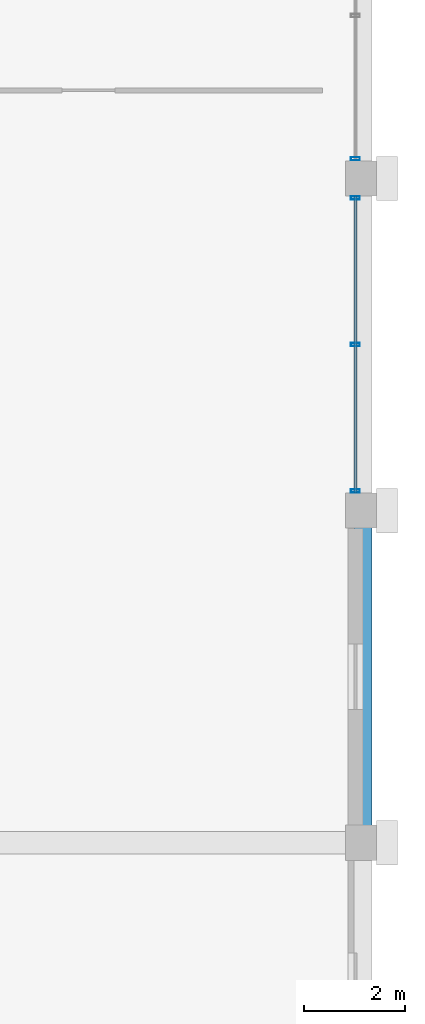
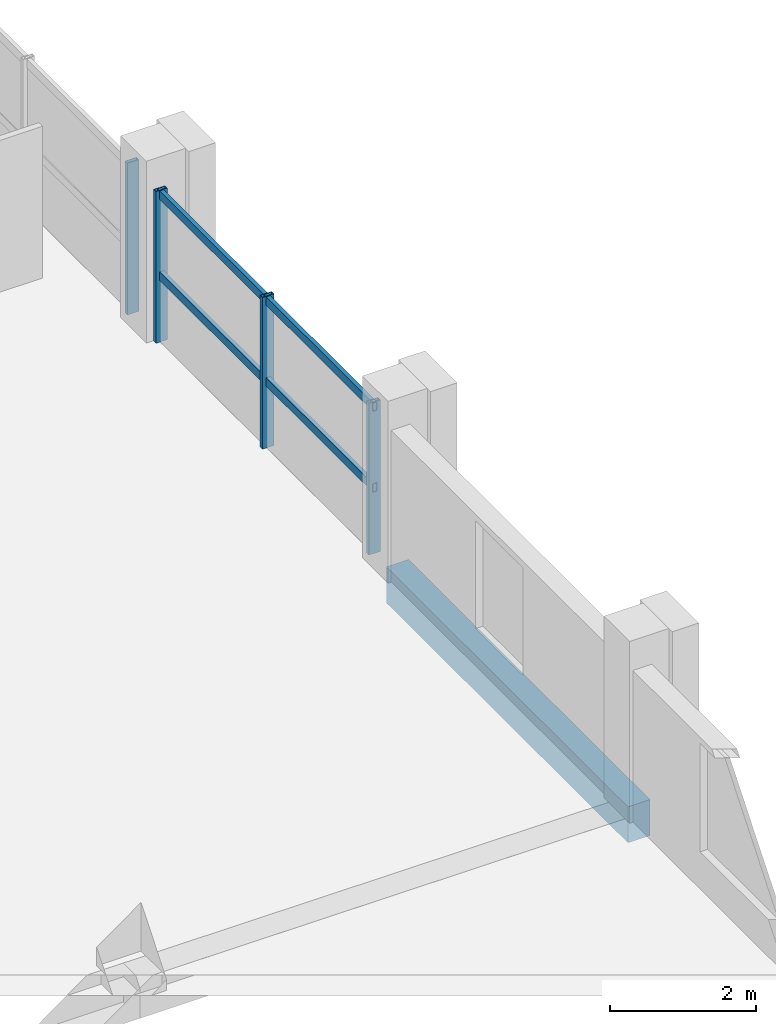
# One storey, part 10 of 25: 6 members, 1 beam, 2 elements without a shape of their own.
"""IFC4 building model written with IfcOpenShell, lengths in metres."""

import ifcopenshell
import ifcopenshell.guid

model = None  # the IFC model being written
_history = None  # IfcOwnerHistory: only IFC2X3 demands one
_inside = {}  # id of a spatial element -> (the spatial element, [elements in it])
_under = {}  # id of a project, library or spatial element -> (it, [spatial elements below it])
_declared = {}  # id of a project -> (the project, [libraries it declares])
_typed = {}  # id of a type object -> (the type object, [elements of that type])
_made_of = {}  # id of a material, layer set ... -> (it, [elements and type objects made of it])


def new_model(schema):
    """Start an empty IFC model of exactly this schema.

    Asked for "IFC4X3", IfcOpenShell would pick the latest addendum, in which some entities
    have other attributes; the version numbers below select the first issue.
    IFC2X3 requires an IfcOwnerHistory on every rooted entity: one is made here for all.
    """
    global model, _history
    if schema == "IFC4X3":
        model = ifcopenshell.file(schema_version=(4, 3, 0, 0))
    else:
        model = ifcopenshell.file(schema=schema)
    _inside.clear()
    _under.clear()
    _declared.clear()
    _typed.clear()
    _made_of.clear()
    _history = None
    if model.schema == "IFC2X3":
        org = make("IfcOrganization", Name="unknown")
        user = make(
            "IfcPersonAndOrganization",
            ThePerson=make("IfcPerson", FamilyName="unknown"),
            TheOrganization=org,
        )
        app = make(
            "IfcApplication",
            ApplicationDeveloper=org,
            Version="unknown",
            ApplicationFullName="unknown",
            ApplicationIdentifier="unknown",
        )
        _history = make(
            "IfcOwnerHistory",
            OwningUser=user,
            OwningApplication=app,
            ChangeAction="ADDED",
            CreationDate=0,
        )
    return model


def make(cls, **values):
    """One entity of the class cls with the attributes given. An attribute that is None is left unset."""
    return model.create_entity(
        cls, **{name: value for name, value in values.items() if value is not None}
    )


def rooted(cls, **values):
    """An entity with a GlobalId (a new one), such as an element, a storey or a relation."""
    return make(cls, GlobalId=ifcopenshell.guid.new(), OwnerHistory=_history, **values)


def si_unit(unit_type, name, prefix=None):
    """IfcSIUnit, for example si_unit("LENGTHUNIT", "METRE", prefix="MILLI")."""
    return make("IfcSIUnit", UnitType=unit_type, Prefix=prefix, Name=name)


def assignment(units):
    """IfcUnitAssignment: the units of a project."""
    return None if units is None else make("IfcUnitAssignment", Units=units)


def point(xyz):
    """IfcCartesianPoint."""
    return None if xyz is None else make("IfcCartesianPoint", Coordinates=xyz)


def direction(xyz):
    """IfcDirection."""
    return None if xyz is None else make("IfcDirection", DirectionRatios=xyz)


def frame(location, z_axis=None, x_axis=None):
    """IfcAxis2Placement3D, a coordinate frame: its origin and axes. An axis left out is left unset."""
    return make(
        "IfcAxis2Placement3D",
        Location=point(location),
        Axis=direction(z_axis),
        RefDirection=direction(x_axis),
    )


def frame_2d(location, x_axis=None):
    """IfcAxis2Placement2D, a coordinate frame in the plane: its origin and x axis."""
    return make(
        "IfcAxis2Placement2D", Location=point(location), RefDirection=direction(x_axis)
    )


def origin():
    """The frame at (0, 0, 0) with its axes left unset."""
    return frame((0.0, 0.0, 0.0))


def origin_2d():
    """The frame at (0, 0) in the plane with its x axis left unset."""
    return frame_2d((0.0, 0.0))


def place(relative_to, where):
    """IfcLocalPlacement: puts the frame where relative to a parent placement (None: the world)."""
    return make(
        "IfcLocalPlacement", PlacementRelTo=relative_to, RelativePlacement=where
    )


def context(
    kind, dimensions, precision=None, world=None, true_north=None, identifier=None
):
    """IfcGeometricRepresentationContext, for example the 3D "Model" context."""
    return make(
        "IfcGeometricRepresentationContext",
        ContextIdentifier=identifier,
        ContextType=kind,
        CoordinateSpaceDimension=dimensions,
        Precision=precision,
        WorldCoordinateSystem=world,
        TrueNorth=true_north,
    )


def subcontext(parent, identifier, kind, view, scale=None):
    """IfcGeometricRepresentationSubContext, for example "Body" below "Model"."""
    return make(
        "IfcGeometricRepresentationSubContext",
        ContextIdentifier=identifier,
        ContextType=kind,
        ParentContext=parent,
        TargetScale=scale,
        TargetView=view,
    )


def project(units=None, contexts=None):
    """IfcProject with its units and contexts."""
    return rooted(
        "IfcProject",
        Name="project",
        RepresentationContexts=contexts,
        UnitsInContext=assignment(units),
    )


def spatial(cls, under=None, at=None, **own):
    """A site, building, storey or space (cls), placed at a placement, below another one or the project."""
    s = rooted(cls, ObjectPlacement=at, **own)
    if under is not None:
        _under.setdefault(under.id(), (under, []))[1].append(s)
    return s


def profile(cls, at=None, kind="AREA", **sizes):
    """A parametric profile (cls). Its sizes go by their IFC names, for example OverallWidth=200.0."""
    return make(cls, ProfileType=kind, Position=at, **sizes)


def rectangle(**sizes):
    """IfcRectangleProfileDef."""
    return profile("IfcRectangleProfileDef", **sizes)


def hollow_rectangle(**sizes):
    """IfcRectangleHollowProfileDef."""
    return profile("IfcRectangleHollowProfileDef", **sizes)


def extrude(swept, where, along, depth):
    """IfcExtrudedAreaSolid: the profile swept, set in the frame where, extruded along a direction by depth."""
    return make(
        "IfcExtrudedAreaSolid",
        SweptArea=swept,
        Position=where,
        ExtrudedDirection=direction(along),
        Depth=depth,
    )


def shape(context_of_items, identifier, shape_type, items):
    """IfcShapeRepresentation: the items that make up one representation, for example the "Body"."""
    return make(
        "IfcShapeRepresentation",
        ContextOfItems=context_of_items,
        RepresentationIdentifier=identifier,
        RepresentationType=shape_type,
        Items=items,
    )


def material(Name=None, Category=None):
    """IfcMaterial."""
    return make("IfcMaterial", Name=Name, Category=Category)


def material_profile(
    of_material, cross_section, Name=None, Category=None, Priority=None
):
    """IfcMaterialProfile: a cross section and its material."""
    return make(
        "IfcMaterialProfile",
        Name=Name,
        Material=of_material,
        Profile=cross_section,
        Priority=Priority,
        Category=Category,
    )


def profile_set(profiles, Name=None, composite=None):
    """IfcMaterialProfileSet."""
    return make(
        "IfcMaterialProfileSet",
        Name=Name,
        MaterialProfiles=profiles,
        CompositeProfile=composite,
    )


def made_of(thing, what):
    """Note that an element or type object is made of a material, layer set ...; save() writes the relation."""
    if what is not None:
        _made_of.setdefault(what.id(), (what, []))[1].append(thing)
    return thing


def type_object(cls, material=None, **own):
    """A type object (cls), such as IfcWallType, which elements share."""
    return made_of(rooted(cls, **own), material)


def element(
    cls,
    number,
    at=None,
    inside=None,
    cuts=None,
    type_object=None,
    material=None,
    context=None,
    identifier="Body",
    shape_type=None,
    held_by="IfcProductDefinitionShape",
    body=None,
    shapes=None,
    **own,
):
    """One element of the class cls, such as IfcWall. Its Tag is "e" and its number.

    at: its placement. inside: the storey or other place that contains it. cuts: it is an
    opening in that element (IfcRelVoidsElement). A single representation is given by context,
    identifier, shape_type and body (its items); several are given by shapes. held_by: the class
    of the entity that holds the representations. save() writes the other relations.
    """
    e = rooted(cls, Tag="e%d" % number, ObjectPlacement=at, **own)
    if body is not None:
        shapes = [shape(context, identifier, shape_type, body)]
    if shapes is not None:
        e.Representation = make(held_by, Representations=shapes)
    if inside is not None:
        _inside.setdefault(inside.id(), (inside, []))[1].append(e)
    if cuts is not None:
        rooted(
            "IfcRelVoidsElement", RelatingBuildingElement=cuts, RelatedOpeningElement=e
        )
    if type_object is not None:
        _typed.setdefault(type_object.id(), (type_object, []))[1].append(e)
    return made_of(e, material)


def aggregate(whole, parts):
    """IfcRelAggregates: a whole, such as a stair, and the parts it consists of."""
    return rooted("IfcRelAggregates", RelatingObject=whole, RelatedObjects=parts)


def save(model, path):
    """Write the relations noted so far, then the file.

    IfcRelAggregates (storeys below a building ...), IfcRelContainedInSpatialStructure (elements
    in a storey), IfcRelDefinesByType, IfcRelAssociatesMaterial and IfcRelDeclares: one each for
    every whole, place, type object, material and project.
    """
    for whole, parts in _under.values():
        aggregate(whole, parts)
    for where, things in _inside.values():
        rooted(
            "IfcRelContainedInSpatialStructure",
            RelatedElements=things,
            RelatingStructure=where,
        )
    for kind, things in _typed.values():
        rooted("IfcRelDefinesByType", RelatedObjects=things, RelatingType=kind)
    for what, things in _made_of.values():
        rooted("IfcRelAssociatesMaterial", RelatedObjects=things, RelatingMaterial=what)
    for by, libraries in _declared.values():
        rooted("IfcRelDeclares", RelatingContext=by, RelatedDefinitions=libraries)
    model.write(path)


model = new_model("IFC4")

# Units and contexts
model_context = context("Model", 3, precision=1e-05, world=origin(), true_north=direction((0.0, 1.0)))
body_context = subcontext(model_context, "Body", "Model", "MODEL_VIEW")
ifc_project = project(units=[si_unit("LENGTHUNIT", "METRE"), si_unit("AREAUNIT", "SQUARE_METRE"), si_unit("VOLUMEUNIT", "CUBIC_METRE"), si_unit("PLANEANGLEUNIT", "RADIAN"), si_unit("MASSUNIT", "GRAM", prefix="KILO")], contexts=[model_context])

# Site, building, storey
site_placement = place(None, origin())
site = spatial("IfcSite", under=ifc_project, at=site_placement, CompositionType="ELEMENT")
building_placement = place(site_placement, origin())
building = spatial("IfcBuilding", under=site, at=building_placement, Name="Akrevak Sports Hall", CompositionType="ELEMENT")
storey_placement = place(building_placement, frame((0.0, 0.0, 50.300048828125)))
storey = spatial("IfcBuildingStorey", under=building, at=storey_placement, Name="L12", CompositionType="ELEMENT", Elevation=50.300048828125)

# Curtain wall, members
ifc_material_1 = material(Name="Anodized Bronze Aluminium & Low-E Glass", Category="aluminium")
curtain_wall_type = type_object("IfcCurtainWallType", Name="ARC-CW-TWR-72x30", PredefinedType="NOTDEFINED", material=ifc_material_1)
curtain_wall_1_placement = place(storey_placement, origin())
curtain_wall_1 = element("IfcCurtainWall", 1, at=curtain_wall_1_placement, inside=storey, type_object=curtain_wall_type, Name="Curtain Wall CW-L12-E13", PredefinedType="NOTDEFINED")
ifc_material_2 = material(Name="Anodized Bronze Aluminium", Category="aluminium")
ifc_material_profile_1 = material_profile(ifc_material_2, hollow_rectangle(XDim=0.06494140625, YDim=0.179931640625, WallThickness=0.00390625, at=origin_2d()), Name="CWM 65x180", Category="aluminium")
ifc_profile_set_1 = profile_set([ifc_material_profile_1], Name="Anodized Bronze Aluminium")
member_type_1 = type_object("IfcMemberType", Name="ARC-CWM-65x140", PredefinedType="MULLION", material=ifc_profile_set_1)
member_1_placement = place(storey_placement, frame((107.85009765625, 42.389892578125, 0.0), z_axis=(0.0, 0.0, 1.0), x_axis=(0.0, 1.0, 0.0)))
member_1 = element("IfcMember", 2, at=member_1_placement, type_object=member_type_1, Name="Curtain Wall Mullion CW-L12-E13-M1", PredefinedType="MULLION", context=body_context, shape_type="SweptSolid", body=[
    extrude(hollow_rectangle(XDim=0.06494140625, YDim=0.179931640625, WallThickness=0.00390625, at=origin_2d()), origin(), (0.0, 0.0, 1.0), 2.530029296875),
])
member_2_placement = place(storey_placement, frame((107.85009765625, 45.300048828125, 0.0), z_axis=(0.0, 0.0, 1.0), x_axis=(0.0, 1.0, 0.0)))
member_2 = element("IfcMember", 3, at=member_2_placement, type_object=member_type_1, Name="Curtain Wall Mullion CW-L12-E13-M2", PredefinedType="MULLION", context=body_context, shape_type="SweptSolid", body=[
    extrude(hollow_rectangle(XDim=0.06494140625, YDim=0.179931640625, WallThickness=0.00390625, at=origin_2d()), origin(), (0.0, 0.0, 1.0), 2.530029296875),
])
member_3_placement = place(storey_placement, frame((107.85009765625, 48.2099609375, 0.0), z_axis=(0.0, 0.0, 1.0), x_axis=(0.0, 1.0, 0.0)))
member_3 = element("IfcMember", 4, at=member_3_placement, type_object=member_type_1, Name="Curtain Wall Mullion CW-L12-E13-M3", PredefinedType="MULLION", context=body_context, shape_type="SweptSolid", body=[
    extrude(hollow_rectangle(XDim=0.06494140625, YDim=0.179931640625, WallThickness=0.00390625, at=origin_2d()), origin(), (0.0, 0.0, 1.0), 2.530029296875),
])

# Curtain wall, member
curtain_wall_2_placement = place(storey_placement, origin())
curtain_wall_2 = element("IfcCurtainWall", 5, at=curtain_wall_2_placement, inside=storey, type_object=curtain_wall_type, Name="Curtain Wall CW-L12-E14", PredefinedType="NOTDEFINED")
member_4_placement = place(storey_placement, frame((107.85009765625, 48.989990234375, 0.0), z_axis=(0.0, 0.0, 1.0), x_axis=(0.0, 1.0, 0.0)))
member_4 = element("IfcMember", 6, at=member_4_placement, type_object=member_type_1, Name="Curtain Wall Mullion CW-L12-E14-M1", PredefinedType="MULLION", context=body_context, shape_type="SweptSolid", body=[
    extrude(hollow_rectangle(XDim=0.06494140625, YDim=0.179931640625, WallThickness=0.00390625, at=origin_2d()), origin(), (0.0, 0.0, 1.0), 2.530029296875),
])
aggregate(curtain_wall_2, [member_4])

# Member
ifc_material_profile_2 = material_profile(ifc_material_2, hollow_rectangle(XDim=0.06494140625, YDim=0.139892578125, WallThickness=0.00390625, at=origin_2d()), Name="CWT 65x140", Category="aluminium")
ifc_profile_set_2 = profile_set([ifc_material_profile_2], Name="Anodized Bronze Aluminium")
member_type_2 = type_object("IfcMemberType", Name="ARC-CWT-65x110", PredefinedType="USERDEFINED", material=ifc_profile_set_2)
member_5_placement = place(storey_placement, frame((107.85009765625, 42.35009765625, 1.099853515625), z_axis=(0.0, 1.0, 0.0), x_axis=(-1.0, 0.0, 0.0)))
member_5 = element("IfcMember", 7, at=member_5_placement, type_object=member_type_2, Name="Curtain Wall Transom CW-L12-E13-T1", ObjectType="TRANSOM", PredefinedType="USERDEFINED", context=body_context, shape_type="SweptSolid", body=[
    extrude(hollow_rectangle(XDim=0.06494140625, YDim=0.139892578125, WallThickness=0.00390625, at=origin_2d()), origin(), (0.0, 0.0, 1.0), 5.89990234375),
])

member_6_placement = place(storey_placement, frame((107.85009765625, 42.35009765625, 2.449951171875), z_axis=(0.0, 1.0, 0.0), x_axis=(-1.0, 0.0, 0.0)))
member_6 = element("IfcMember", 8, at=member_6_placement, type_object=member_type_2, Name="Curtain Wall Transom CW-L12-E13-T2", ObjectType="TRANSOM", PredefinedType="USERDEFINED", context=body_context, shape_type="SweptSolid", body=[
    extrude(hollow_rectangle(XDim=0.06494140625, YDim=0.139892578125, WallThickness=0.00390625, at=origin_2d()), origin(), (0.0, 0.0, 1.0), 5.89990234375),
])

aggregate(curtain_wall_1, [member_1, member_2, member_3, member_5, member_6])

# Beam
ifc_material_3 = material(Name="Concrete C40/50", Category="concrete")
ifc_material_profile_3 = material_profile(ifc_material_3, rectangle(XDim=0.35009765625, YDim=0.60009765625, at=origin_2d()), Name="BM 350x600", Category="concrete")
ifc_profile_set_3 = profile_set([ifc_material_profile_3], Name="Concrete C40/50")
beam_type = type_object("IfcBeamType", Name="STR-BM-RC350x600", PredefinedType="BEAM", material=ifc_profile_set_3)
beam_placement = place(storey_placement, frame((108.0, 35.39990234375, -0.300048828125), z_axis=(0.0, 1.0, 0.0), x_axis=(-1.0, 0.0, 0.0)))
element("IfcBeam", 9, at=beam_placement, inside=storey, type_object=beam_type, Name="Girder 15/F-G (L12)", PredefinedType="BEAM", context=body_context, shape_type="SweptSolid", body=[
    extrude(rectangle(XDim=0.35009765625, YDim=0.60009765625, at=origin_2d()), origin(), (0.0, 0.0, 1.0), 6.60009765625),
])

save(model, "model.ifc")
